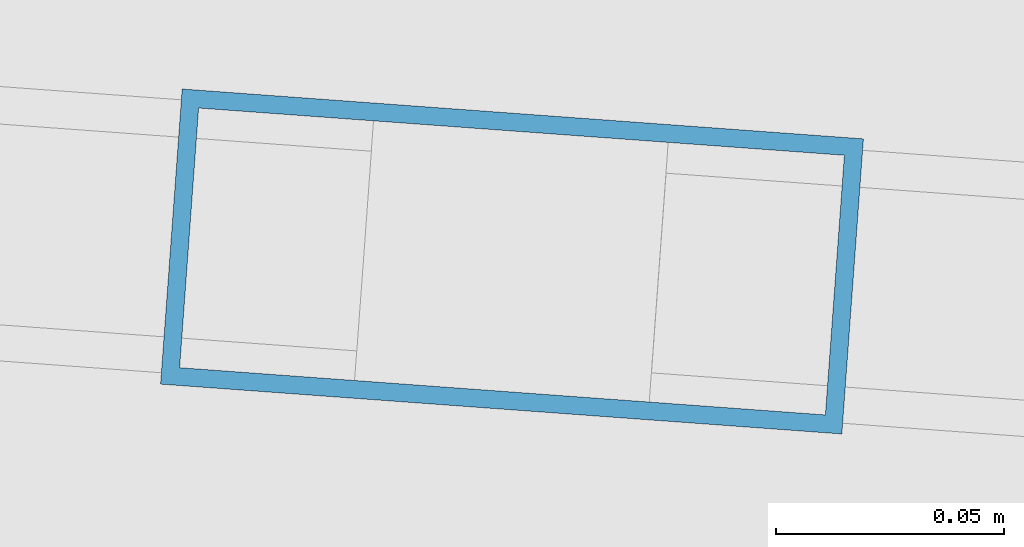
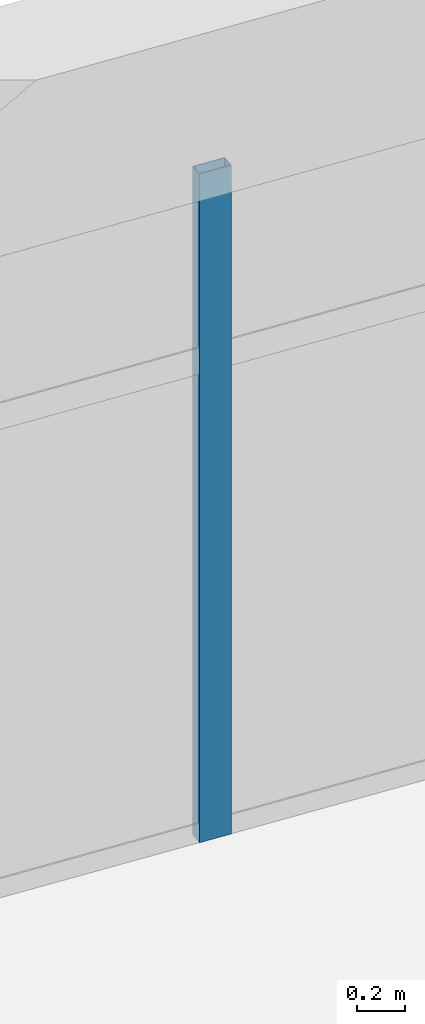
# One storey, part 30 of 39: 1 member, 1 element without a shape of its own.
"""IFC4 building model written with IfcOpenShell, lengths in metres."""

from ifc_helpers import new_model, si_unit, direction, frame, origin, origin_2d, place, context, subcontext, project, spatial, hollow_rectangle, extrude, source, transform, mapped, material, layer, layer_set, material_profile, profile_set, type_object, element, aggregate, save


model = new_model("IFC4")

# Units and contexts
model_context = context("Model", 3, precision=1e-05, world=origin(), true_north=direction((0.0, 1.0)))
body_context = subcontext(model_context, "Body", "Model", "MODEL_VIEW")
ifc_project = project(units=[si_unit("LENGTHUNIT", "METRE"), si_unit("AREAUNIT", "SQUARE_METRE"), si_unit("VOLUMEUNIT", "CUBIC_METRE"), si_unit("PLANEANGLEUNIT", "RADIAN"), si_unit("MASSUNIT", "GRAM", prefix="KILO")], contexts=[model_context])

# Site, building, storey
site_placement = place(None, origin())
site = spatial("IfcSite", under=ifc_project, at=site_placement, CompositionType="ELEMENT")
building_placement = place(site_placement, origin())
building = spatial("IfcBuilding", under=site, at=building_placement, Name="Liaohun Quay Tower", CompositionType="ELEMENT")
storey_placement = place(building_placement, frame((0.0, 0.0, 189.75)))
storey = spatial("IfcBuildingStorey", under=building, at=storey_placement, Name="L49", CompositionType="ELEMENT", Elevation=189.75)

# Curtain wall, member
ifc_material_1 = material(Name="Mid-height zone-break sky-lobby curtain wall")
ifc_layer = layer(ifc_material_1, 0.199951171875, Name="Mid-height zone-break sky-lobby curtain wall")
ifc_layer_set = layer_set([ifc_layer], Name="Mid-height zone-break sky-lobby curtain wall")
curtain_wall_type = type_object("IfcCurtainWallType", Name="CW-SKY-L49", PredefinedType="NOTDEFINED", material=ifc_layer_set)
curtain_wall_placement = place(storey_placement, origin())
curtain_wall = element("IfcCurtainWall", 1, at=curtain_wall_placement, inside=storey, type_object=curtain_wall_type, Name="L49 Panoramic Belvedere Curtain Wall 03", PredefinedType="NOTDEFINED")
ifc_material_2 = material(Name="Anodised aluminium 6063-T6", Category="aluminium")
ifc_material_profile = material_profile(ifc_material_2, hollow_rectangle(XDim=0.06494140625, YDim=0.14990234375, WallThickness=0.00390625, at=origin_2d()), Name="RHS150x65x4")
ifc_profile_set = profile_set([ifc_material_profile], Name="Anodised aluminium 6063-T6")
member_type = type_object("IfcMemberType", Name="MEM-CWM-SKY", PredefinedType="MULLION", material=ifc_profile_set)
shared_shape = source(origin(), body_context, "Body", "SweptSolid", [
    extrude(hollow_rectangle(XDim=0.06494140625, YDim=0.14990234375, WallThickness=0.00390625, at=origin_2d()), origin(), (0.0, 0.0, 1.0), 3.419921875),
])
member_placement = place(storey_placement, frame((75.569580078125, 77.862548828125, 0.0), z_axis=(0.0, 0.0, 1.0), x_axis=(-0.072968057021, -0.997334278291, 0.0)))
member = element("IfcMember", 2, at=member_placement, type_object=member_type, Name="CW4 mullion 2", PredefinedType="MULLION", context=body_context, shape_type="MappedRepresentation", body=[
    mapped(shared_shape, transform((0.0, 0.0, 0.0), x_axis=(1.0, 0.0, 0.0), y_axis=(0.0, 1.0, 0.0), z_axis=(0.0, 0.0, 1.0), scale=1.0)),
])
aggregate(curtain_wall, [member])

save(model, "model.ifc")
